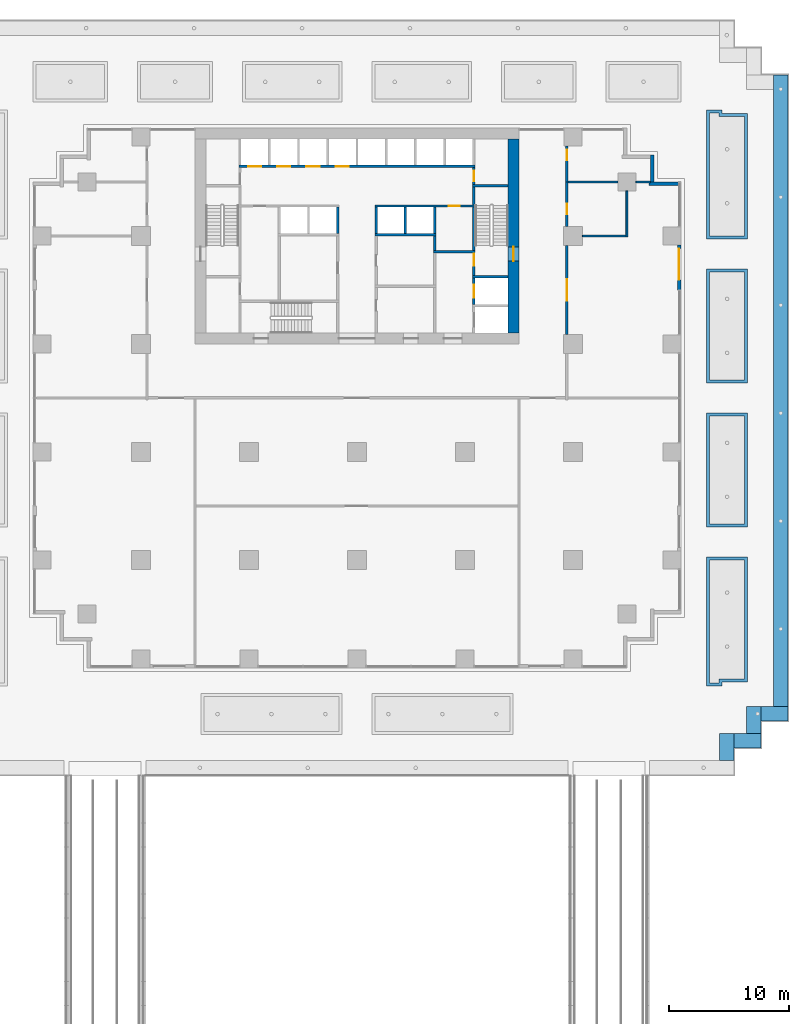
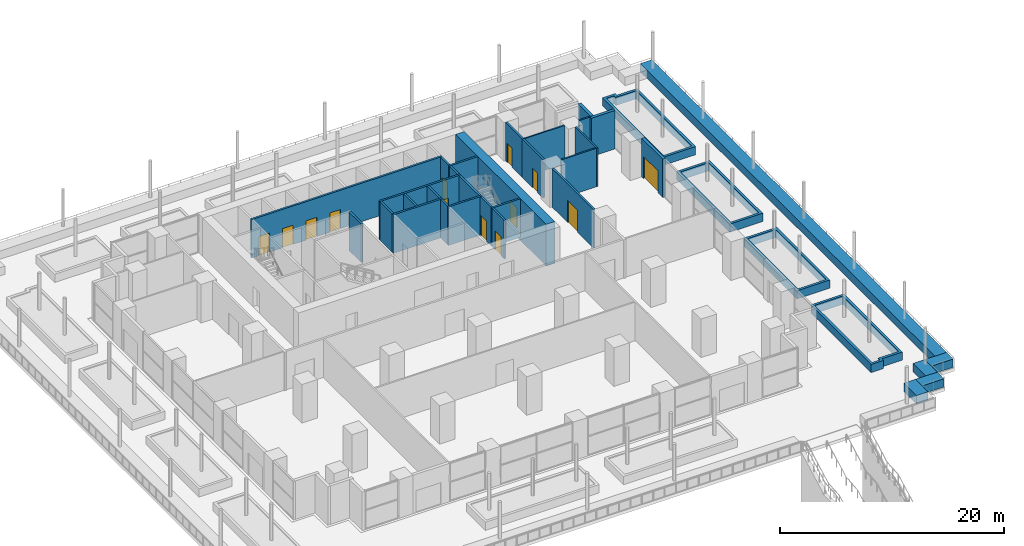
# One storey, part 11 of 18: 36 walls, 13 doors, 13 openings.
"""IFC4 building model written with IfcOpenShell, lengths in metres."""

from ifc_helpers import new_model, si_unit, direction, frame, frame_2d, origin, place, context, subcontext, project, spatial, polyline, rectangle, outline, extrude, material, layer, layer_set, type_object, element, fill, save


model = new_model("IFC4")

# Units and contexts
model_context = context("Model", 3, precision=1e-05, world=origin(), true_north=direction((0.0, 1.0)))
body_context = subcontext(model_context, "Body", "Model", "MODEL_VIEW")
ifc_project = project(units=[si_unit("LENGTHUNIT", "METRE"), si_unit("AREAUNIT", "SQUARE_METRE"), si_unit("VOLUMEUNIT", "CUBIC_METRE"), si_unit("PLANEANGLEUNIT", "RADIAN"), si_unit("MASSUNIT", "GRAM", prefix="KILO")], contexts=[model_context])

# Site, building, storey
site_placement = place(None, origin())
site = spatial("IfcSite", under=ifc_project, at=site_placement, CompositionType="ELEMENT")
building_placement = place(site_placement, origin())
building = spatial("IfcBuilding", under=site, at=building_placement, Name="Orbiselva Terraces", CompositionType="ELEMENT")
storey_placement = place(building_placement, frame((0.0, 0.0, 10.5)))
storey = spatial("IfcBuildingStorey", under=building, at=storey_placement, Name="L02", CompositionType="ELEMENT", Elevation=10.5)

# Wall, opening, door
ifc_material_1 = material(Name="Concrete C80/95", Category="concrete")
ifc_layer_1 = layer(ifc_material_1, 0.9)
ifc_layer_set_1 = layer_set([ifc_layer_1], Name="Concrete C80/95")
wall_type_1 = type_object("IfcWallType", Name="CORE WALL 900", PredefinedType="SHEAR", material=ifc_layer_set_1)
wall_1_placement = place(storey_placement, frame((13.05, 5.4, -0.35), z_axis=(0.0, 0.0, 1.0), x_axis=(0.0, 1.0, 0.0)))
wall_1 = element("IfcWall", 1, at=wall_1_placement, inside=storey, type_object=wall_type_1, Name="Core wall L02 east", PredefinedType="SHEAR", context=body_context, shape_type="SweptSolid", body=[
    extrude(rectangle(XDim=16.2, YDim=0.9, at=frame_2d((8.1, 0.0))), origin(), (0.0, 0.0, 1.0), 4.55),
])
opening_1_placement = place(wall_1_placement, frame((6.0, 0.0, 0.35)))
opening_1 = element("IfcOpeningElement", 2, at=opening_1_placement, cuts=wall_1, Name="Opening DS1200", PredefinedType="OPENING", context=body_context, shape_type="SweptSolid", body=[
    extrude(rectangle(XDim=1.2, YDim=2.2, at=frame_2d((0.6, 1.1))), frame((0.0, 0.46, 0.0), z_axis=(0.0, -1.0, 0.0), x_axis=(1.0, 0.0, 0.0)), (0.0, 0.0, 1.0), 0.92),
])
ifc_material_2 = material(Name="Steel fire door", Category="steel")
door_type_1 = type_object("IfcDoorType", Name="STAIR DOOR 1200", OperationType="NOTDEFINED", PredefinedType="DOOR", material=ifc_material_2)
door_1_placement = place(opening_1_placement, frame((1.2, 0.0, 0.0), z_axis=(0.0, 0.0, 1.0), x_axis=(-1.0, 0.0, 0.0)))
door_1 = element("IfcDoor", 3, at=door_1_placement, inside=storey, type_object=door_type_1, Name="L02 EXIT STAIR S2 door", OperationType="SINGLE_SWING_LEFT", OverallHeight=2.2, OverallWidth=1.2, PredefinedType="DOOR", context=body_context, shape_type="SweptSolid", body=[
    extrude(rectangle(XDim=1.2, YDim=2.2, at=frame_2d((0.6, 1.1))), frame((0.0, 0.025, 0.0), z_axis=(0.0, -1.0, 0.0), x_axis=(1.0, 0.0, 0.0)), (0.0, 0.0, 1.0), 0.05),
])
fill(opening_1, door_1)

# Wall
ifc_material_3 = material(Name="Masonry blockwork", Category="masonry")
ifc_layer_2 = layer(ifc_material_3, 0.2)
ifc_layer_set_2 = layer_set([ifc_layer_2], Name="Masonry blockwork")
wall_type_2 = type_object("IfcWallType", Name="CORE-WALL-PARTITION-200", PredefinedType="PARTITIONING", material=ifc_layer_set_2)
wall_2_placement = place(storey_placement, frame((6.475, 12.3, 0.0), z_axis=(0.0, 0.0, 1.0), x_axis=(0.0, 1.0, 0.0)))
element("IfcWall", 4, at=wall_2_placement, inside=storey, type_object=wall_type_2, Name="L02 core wall 35", PredefinedType="PARTITIONING", context=body_context, shape_type="SweptSolid", body=[
    extrude(rectangle(XDim=1.2, YDim=0.2, at=frame_2d((0.6, 0.0))), origin(), (0.0, 0.0, 1.0), 4.2),
])

# Wall, opening, door
wall_3_placement = place(storey_placement, frame((9.75, 19.2, 0.0), z_axis=(0.0, 0.0, 1.0), x_axis=(0.0, -1.0, 0.0)))
wall_3 = element("IfcWall", 5, at=wall_3_placement, inside=storey, type_object=wall_type_2, Name="L02 core wall 46", PredefinedType="PARTITIONING", context=body_context, shape_type="SweptSolid", body=[
    extrude(rectangle(XDim=1.4, YDim=0.2, at=frame_2d((0.7, 0.0))), origin(), (0.0, 0.0, 1.0), 4.2),
])
opening_2_placement = place(wall_3_placement, frame((0.25, 0.0, 0.0)))
opening_2 = element("IfcOpeningElement", 6, at=opening_2_placement, cuts=wall_3, Name="Opening DR900", PredefinedType="OPENING", context=body_context, shape_type="SweptSolid", body=[
    extrude(rectangle(XDim=0.9, YDim=2.1, at=frame_2d((0.45, 1.05))), frame((0.0, 0.11, 0.0), z_axis=(0.0, -1.0, 0.0), x_axis=(1.0, 0.0, 0.0)), (0.0, 0.0, 1.0), 0.22),
])
door_type_2 = type_object("IfcDoorType", Name="ROOM DOOR 900", OperationType="NOTDEFINED", PredefinedType="DOOR", material=ifc_material_2)
door_2_placement = place(opening_2_placement, origin())
door_2 = element("IfcDoor", 7, at=door_2_placement, inside=storey, type_object=door_type_2, Name="L02 ELECTRICAL RISER ROOM door", OperationType="SINGLE_SWING_RIGHT", OverallHeight=2.1, OverallWidth=0.9, PredefinedType="DOOR", context=body_context, shape_type="SweptSolid", body=[
    extrude(rectangle(XDim=0.9, YDim=2.1, at=frame_2d((0.45, 1.05))), frame((0.0, 0.025, 0.0), z_axis=(0.0, -1.0, 0.0), x_axis=(1.0, 0.0, 0.0)), (0.0, 0.0, 1.0), 0.05),
])
fill(opening_2, door_2)

# Walls
ifc_material_4 = material(Name="Concrete C40/50", Category="concrete")
ifc_layer_3 = layer(ifc_material_4, 0.2)
ifc_layer_set_3 = layer_set([ifc_layer_3], Name="Concrete C40/50")
wall_type_3 = type_object("IfcWallType", Name="CORE-WALL-SHAFT-200", PredefinedType="PARTITIONING", material=ifc_layer_set_3)
for number, where, z_axis, x_axis, name in (
    (8, (-1.6, 13.7, 0.0), (0.0, 0.0, 1.0), (0.0, 1.0, 0.0), "L02 core wall 21"),
    (9, (1.6, 13.7, 0.0), (0.0, 0.0, 1.0), (0.0, 1.0, 0.0), "L02 core wall 27"),
    (10, (4.0375, 13.7, 0.0), (0.0, 0.0, 1.0), (0.0, 1.0, 0.0), "L02 core wall 30"),
    (11, (6.475, 13.7, 0.0), (0.0, 0.0, 1.0), (0.0, 1.0, 0.0), "L02 core wall 36"),
):
    element("IfcWall", number, at=place(storey_placement, frame(where, z_axis=z_axis, x_axis=x_axis)), inside=storey, type_object=wall_type_3, Name=name, PredefinedType="PARTITIONING", context=body_context, shape_type="SweptSolid", body=[
        extrude(rectangle(XDim=2.2, YDim=0.2, at=frame_2d((1.1, 0.0))), origin(), (0.0, 0.0, 1.0), 4.2),
    ])

# Wall, openings, doors
ifc_material_5 = material(Name="Concrete C60/75", Category="concrete")
ifc_layer_4 = layer(ifc_material_5, 0.2)
ifc_layer_set_4 = layer_set([ifc_layer_4], Name="Concrete C60/75")
wall_type_4 = type_object("IfcWallType", Name="CORE-WALL-SHEAR-200", PredefinedType="SHEAR", material=ifc_layer_set_4)
wall_4_placement = place(storey_placement, frame((-9.85, 19.3, 0.0), z_axis=(0.0, 0.0, 1.0), x_axis=(1.0, 0.0, 0.0)))
wall_4 = element("IfcWall", 12, at=wall_4_placement, inside=storey, type_object=wall_type_4, Name="L02 core wall 10", PredefinedType="SHEAR", context=body_context, shape_type="SweptSolid", body=[
    extrude(rectangle(XDim=19.7, YDim=0.2, at=frame_2d((9.85, 0.0))), origin(), (0.0, 0.0, 1.0), 4.2),
])
opening_3_placement = place(wall_4_placement, frame((0.76875, 0.0, 0.0)))
opening_3 = element("IfcOpeningElement", 13, at=opening_3_placement, cuts=wall_4, Name="Opening LD-LR1", PredefinedType="OPENING", context=body_context, shape_type="SweptSolid", body=[
    extrude(rectangle(XDim=1.1, YDim=2.1, at=frame_2d((0.55, 1.05))), frame((0.0, 0.11, 0.0), z_axis=(0.0, -1.0, 0.0), x_axis=(1.0, 0.0, 0.0)), (0.0, 0.0, 1.0), 0.22),
])
opening_4_placement = place(wall_4_placement, frame((3.20625, 0.0, 0.0)))
opening_4 = element("IfcOpeningElement", 14, at=opening_4_placement, cuts=wall_4, Name="Opening LD-LR2", PredefinedType="OPENING", context=body_context, shape_type="SweptSolid", body=[
    extrude(rectangle(XDim=1.1, YDim=2.1, at=frame_2d((0.55, 1.05))), frame((0.0, 0.11, 0.0), z_axis=(0.0, -1.0, 0.0), x_axis=(1.0, 0.0, 0.0)), (0.0, 0.0, 1.0), 0.22),
])
opening_5_placement = place(wall_4_placement, frame((5.64375, 0.0, 0.0)))
opening_5 = element("IfcOpeningElement", 15, at=opening_5_placement, cuts=wall_4, Name="Opening LD-LR3", PredefinedType="OPENING", context=body_context, shape_type="SweptSolid", body=[
    extrude(rectangle(XDim=1.1, YDim=2.1, at=frame_2d((0.55, 1.05))), frame((0.0, 0.11, 0.0), z_axis=(0.0, -1.0, 0.0), x_axis=(1.0, 0.0, 0.0)), (0.0, 0.0, 1.0), 0.22),
])
opening_6_placement = place(wall_4_placement, frame((8.08125, 0.0, 0.0)))
opening_6 = element("IfcOpeningElement", 16, at=opening_6_placement, cuts=wall_4, Name="Opening LD-LR4", PredefinedType="OPENING", context=body_context, shape_type="SweptSolid", body=[
    extrude(rectangle(XDim=1.1, YDim=2.1, at=frame_2d((0.55, 1.05))), frame((0.0, 0.11, 0.0), z_axis=(0.0, -1.0, 0.0), x_axis=(1.0, 0.0, 0.0)), (0.0, 0.0, 1.0), 0.22),
])
ifc_material_6 = material(Name="Stainless steel landing door", Category="steel")
door_type_3 = type_object("IfcDoorType", Name="LANDING DOOR 1100", OperationType="SLIDING_TO_LEFT", PredefinedType="DOOR", material=ifc_material_6)
door_3_placement = place(opening_3_placement, origin())
door_3 = element("IfcDoor", 17, at=door_3_placement, inside=storey, type_object=door_type_3, Name="L02 landing door LR1", OperationType="SLIDING_TO_LEFT", OverallHeight=2.1, OverallWidth=1.1, PredefinedType="DOOR", context=body_context, shape_type="SweptSolid", body=[
    extrude(rectangle(XDim=1.1, YDim=2.1, at=frame_2d((0.55, 1.05))), frame((0.0, 0.025, 0.0), z_axis=(0.0, -1.0, 0.0), x_axis=(1.0, 0.0, 0.0)), (0.0, 0.0, 1.0), 0.05),
])
fill(opening_3, door_3)
door_4_placement = place(opening_4_placement, origin())
door_4 = element("IfcDoor", 18, at=door_4_placement, inside=storey, type_object=door_type_3, Name="L02 landing door LR2", OperationType="SLIDING_TO_LEFT", OverallHeight=2.1, OverallWidth=1.1, PredefinedType="DOOR", context=body_context, shape_type="SweptSolid", body=[
    extrude(rectangle(XDim=1.1, YDim=2.1, at=frame_2d((0.55, 1.05))), frame((0.0, 0.025, 0.0), z_axis=(0.0, -1.0, 0.0), x_axis=(1.0, 0.0, 0.0)), (0.0, 0.0, 1.0), 0.05),
])
fill(opening_4, door_4)
door_5_placement = place(opening_5_placement, origin())
door_5 = element("IfcDoor", 19, at=door_5_placement, inside=storey, type_object=door_type_3, Name="L02 landing door LR3", OperationType="SLIDING_TO_LEFT", OverallHeight=2.1, OverallWidth=1.1, PredefinedType="DOOR", context=body_context, shape_type="SweptSolid", body=[
    extrude(rectangle(XDim=1.1, YDim=2.1, at=frame_2d((0.55, 1.05))), frame((0.0, 0.025, 0.0), z_axis=(0.0, -1.0, 0.0), x_axis=(1.0, 0.0, 0.0)), (0.0, 0.0, 1.0), 0.05),
])
fill(opening_5, door_5)
door_6_placement = place(opening_6_placement, origin())
door_6 = element("IfcDoor", 20, at=door_6_placement, inside=storey, type_object=door_type_3, Name="L02 landing door LR4", OperationType="SLIDING_TO_LEFT", OverallHeight=2.1, OverallWidth=1.1, PredefinedType="DOOR", context=body_context, shape_type="SweptSolid", body=[
    extrude(rectangle(XDim=1.1, YDim=2.1, at=frame_2d((0.55, 1.05))), frame((0.0, 0.025, 0.0), z_axis=(0.0, -1.0, 0.0), x_axis=(1.0, 0.0, 0.0)), (0.0, 0.0, 1.0), 0.05),
])
fill(opening_6, door_6)

# Wall
wall_5_placement = place(storey_placement, frame((1.5, 13.6, 0.0), z_axis=(0.0, 0.0, 1.0), x_axis=(1.0, 0.0, 0.0)))
element("IfcWall", 21, at=wall_5_placement, inside=storey, type_object=wall_type_4, Name="L02 core wall 26", PredefinedType="SHEAR", context=body_context, shape_type="SweptSolid", body=[
    extrude(rectangle(XDim=5.075, YDim=0.2, at=frame_2d((2.5375, 0.0))), origin(), (0.0, 0.0, 1.0), 4.2),
])

# Wall, opening, door
wall_6_placement = place(storey_placement, frame((9.85, 16.0, 0.0), z_axis=(0.0, 0.0, 1.0), x_axis=(-1.0, 0.0, 0.0)))
wall_6 = element("IfcWall", 22, at=wall_6_placement, inside=storey, type_object=wall_type_4, Name="L02 core wall 28", PredefinedType="SHEAR", context=body_context, shape_type="SweptSolid", body=[
    extrude(rectangle(XDim=8.35, YDim=0.2, at=frame_2d((4.175, 0.0))), origin(), (0.0, 0.0, 1.0), 4.2),
])
opening_7_placement = place(wall_6_placement, frame((1.2875, 0.0, 0.0)))
opening_7 = element("IfcOpeningElement", 23, at=opening_7_placement, cuts=wall_6, Name="Opening DR900", PredefinedType="OPENING", context=body_context, shape_type="SweptSolid", body=[
    extrude(rectangle(XDim=0.9, YDim=2.1, at=frame_2d((0.45, 1.05))), frame((0.0, 0.11, 0.0), z_axis=(0.0, -1.0, 0.0), x_axis=(1.0, 0.0, 0.0)), (0.0, 0.0, 1.0), 0.22),
])
door_7_placement = place(opening_7_placement, origin())
door_7 = element("IfcDoor", 24, at=door_7_placement, inside=storey, type_object=door_type_2, Name="L02 PIPE RISER ROOM door", OperationType="SINGLE_SWING_LEFT", OverallHeight=2.1, OverallWidth=0.9, PredefinedType="DOOR", context=body_context, shape_type="SweptSolid", body=[
    extrude(rectangle(XDim=0.9, YDim=2.1, at=frame_2d((0.45, 1.05))), frame((0.0, 0.025, 0.0), z_axis=(0.0, -1.0, 0.0), x_axis=(1.0, 0.0, 0.0)), (0.0, 0.0, 1.0), 0.05),
])
fill(opening_7, door_7)

# Wall
wall_7_placement = place(storey_placement, frame((6.375, 12.2, 0.0), z_axis=(0.0, 0.0, 1.0), x_axis=(1.0, 0.0, 0.0)))
element("IfcWall", 25, at=wall_7_placement, inside=storey, type_object=wall_type_4, Name="L02 core wall 34", PredefinedType="SHEAR", context=body_context, shape_type="SweptSolid", body=[
    extrude(rectangle(XDim=3.475, YDim=0.2, at=frame_2d((1.7375, 0.0))), origin(), (0.0, 0.0, 1.0), 4.2),
])

# Wall, opening, door
wall_8_placement = place(storey_placement, frame((9.75, 7.8, 0.0), z_axis=(0.0, 0.0, 1.0), x_axis=(0.0, 1.0, 0.0)))
wall_8 = element("IfcWall", 26, at=wall_8_placement, inside=storey, type_object=wall_type_4, Name="L02 core wall 40", PredefinedType="SHEAR", context=body_context, shape_type="SweptSolid", body=[
    extrude(rectangle(XDim=2.2, YDim=0.2, at=frame_2d((1.1, 0.0))), origin(), (0.0, 0.0, 1.0), 4.2),
])
opening_8_placement = place(wall_8_placement, frame((0.55, 0.0, 0.0)))
opening_8 = element("IfcOpeningElement", 27, at=opening_8_placement, cuts=wall_8, Name="Opening LD-FF2", PredefinedType="OPENING", context=body_context, shape_type="SweptSolid", body=[
    extrude(rectangle(XDim=1.1, YDim=2.1, at=frame_2d((0.55, 1.05))), frame((0.0, 0.11, 0.0), z_axis=(0.0, -1.0, 0.0), x_axis=(1.0, 0.0, 0.0)), (0.0, 0.0, 1.0), 0.22),
])
door_8_placement = place(opening_8_placement, origin())
door_8 = element("IfcDoor", 28, at=door_8_placement, inside=storey, type_object=door_type_3, Name="L02 landing door FF2", OperationType="SLIDING_TO_RIGHT", OverallHeight=2.1, OverallWidth=1.1, PredefinedType="DOOR", context=body_context, shape_type="SweptSolid", body=[
    extrude(rectangle(XDim=1.1, YDim=2.1, at=frame_2d((0.55, 1.05))), frame((0.0, 0.025, 0.0), z_axis=(0.0, -1.0, 0.0), x_axis=(1.0, 0.0, 0.0)), (0.0, 0.0, 1.0), 0.05),
])
fill(opening_8, door_8)

# Wall
wall_9_placement = place(storey_placement, frame((9.65, 10.1, 0.0), z_axis=(0.0, 0.0, 1.0), x_axis=(1.0, 0.0, 0.0)))
element("IfcWall", 29, at=wall_9_placement, inside=storey, type_object=wall_type_4, Name="L02 core wall 41", PredefinedType="SHEAR", context=body_context, shape_type="SweptSolid", body=[
    extrude(rectangle(XDim=2.95, YDim=0.2, at=frame_2d((1.475, 0.0))), origin(), (0.0, 0.0, 1.0), 4.2),
])

# Wall, opening, door
wall_10_placement = place(storey_placement, frame((9.75, 12.1, 0.0), z_axis=(0.0, 0.0, 1.0), x_axis=(0.0, -1.0, 0.0)))
wall_10 = element("IfcWall", 30, at=wall_10_placement, inside=storey, type_object=wall_type_4, Name="L02 core wall 42", PredefinedType="SHEAR", context=body_context, shape_type="SweptSolid", body=[
    extrude(rectangle(XDim=1.9, YDim=0.2, at=frame_2d((0.95, 0.0))), origin(), (0.0, 0.0, 1.0), 4.2),
])
opening_9_placement = place(wall_10_placement, frame((0.1, 0.0, 0.0)))
opening_9 = element("IfcOpeningElement", 31, at=opening_9_placement, cuts=wall_10, Name="Opening DS1000", PredefinedType="OPENING", context=body_context, shape_type="SweptSolid", body=[
    extrude(rectangle(XDim=1.0, YDim=2.2, at=frame_2d((0.5, 1.1))), frame((0.0, 0.11, 0.0), z_axis=(0.0, -1.0, 0.0), x_axis=(1.0, 0.0, 0.0)), (0.0, 0.0, 1.0), 0.22),
])
door_type_4 = type_object("IfcDoorType", Name="STAIR DOOR 1000", OperationType="NOTDEFINED", PredefinedType="DOOR", material=ifc_material_2)
door_9_placement = place(opening_9_placement, origin())
door_9 = element("IfcDoor", 32, at=door_9_placement, inside=storey, type_object=door_type_4, Name="L02 FIRE-FIGHTING LOBBY TO EXIT STAIR S2 door", OperationType="SINGLE_SWING_LEFT", OverallHeight=2.2, OverallWidth=1.0, PredefinedType="DOOR", context=body_context, shape_type="SweptSolid", body=[
    extrude(rectangle(XDim=1.0, YDim=2.2, at=frame_2d((0.5, 1.1))), frame((0.0, 0.025, 0.0), z_axis=(0.0, -1.0, 0.0), x_axis=(1.0, 0.0, 0.0)), (0.0, 0.0, 1.0), 0.05),
])
fill(opening_9, door_9)

# Walls
wall_11_placement = place(storey_placement, frame((9.75, 12.3, 0.0), z_axis=(0.0, 0.0, 1.0), x_axis=(0.0, 1.0, 0.0)))
element("IfcWall", 33, at=wall_11_placement, inside=storey, type_object=wall_type_4, Name="L02 core wall 43", PredefinedType="SHEAR", context=body_context, shape_type="SweptSolid", body=[
    extrude(rectangle(XDim=3.6, YDim=0.2, at=frame_2d((1.8, 0.0))), origin(), (0.0, 0.0, 1.0), 4.2),
])
wall_12_placement = place(storey_placement, frame((9.75, 16.1, 0.0), z_axis=(0.0, 0.0, 1.0), x_axis=(0.0, 1.0, 0.0)))
element("IfcWall", 34, at=wall_12_placement, inside=storey, type_object=wall_type_4, Name="L02 core wall 44", PredefinedType="SHEAR", context=body_context, shape_type="SweptSolid", body=[
    extrude(rectangle(XDim=1.5, YDim=0.2, at=frame_2d((0.75, 0.0))), origin(), (0.0, 0.0, 1.0), 4.2),
])
wall_13_placement = place(storey_placement, frame((9.65, 17.7, 0.0), z_axis=(0.0, 0.0, 1.0), x_axis=(1.0, 0.0, 0.0)))
element("IfcWall", 35, at=wall_13_placement, inside=storey, type_object=wall_type_4, Name="L02 core wall 45", PredefinedType="SHEAR", context=body_context, shape_type="SweptSolid", body=[
    extrude(rectangle(XDim=2.95, YDim=0.2, at=frame_2d((1.475, 0.0))), origin(), (0.0, 0.0, 1.0), 4.2),
])
ifc_layer_5 = layer(ifc_material_4, 1.2)
ifc_layer_set_5 = layer_set([ifc_layer_5], Name="Concrete C40/50")
wall_type_5 = type_object("IfcWallType", Name="ENV-GARDEN-BED-1200x900", PredefinedType="USERDEFINED", material=ifc_layer_set_5)
for number, where, z_axis, x_axis, name in (
    (36, (30.83, -30.23, 0.05), (0.0, 0.0, 1.0), (0.0, 1.0, 0.0), "Planter bed L02 deck"),
    (37, (31.43, -28.58, 0.05), (0.0, 0.0, 1.0), (1.0, 0.0, 0.0), "Planter bed L02 deck"),
    (38, (33.08, -27.98, 0.05), (0.0, 0.0, 1.0), (0.0, 1.0, 0.0), "Planter bed L02 deck"),
    (39, (33.68, -26.33, 0.05), (0.0, 0.0, 1.0), (1.0, 0.0, 0.0), "Planter bed L02 deck"),
):
    element("IfcWall", number, at=place(storey_placement, frame(where, z_axis=z_axis, x_axis=x_axis)), inside=storey, type_object=wall_type_5, Name=name, ObjectType="PLANTER", PredefinedType="USERDEFINED", context=body_context, shape_type="SweptSolid", body=[
        extrude(rectangle(XDim=2.25, YDim=1.2, at=frame_2d((1.125, 0.0))), origin(), (0.0, 0.0, 1.0), 0.9),
    ])
wall_14_placement = place(storey_placement, frame((35.33, -25.73, 0.05), z_axis=(0.0, 0.0, 1.0), x_axis=(0.0, 1.0, 0.0)))
element("IfcWall", 40, at=wall_14_placement, inside=storey, type_object=wall_type_5, Name="Planter bed L02 deck", ObjectType="PLANTER", PredefinedType="USERDEFINED", context=body_context, shape_type="SweptSolid", body=[
    extrude(rectangle(XDim=52.66, YDim=1.2, at=frame_2d((26.33, 0.0))), origin(), (0.0, 0.0, 1.0), 0.9),
])
ifc_layer_6 = layer(ifc_material_4, 0.25)
ifc_layer_set_6 = layer_set([ifc_layer_6], Name="Concrete C40/50")
wall_type_6 = type_object("IfcWallType", Name="ENV-GARDEN-BED-250x900", PredefinedType="USERDEFINED", material=ifc_layer_set_6)
wall_15_placement = place(storey_placement, frame((0.0, 0.0, 0.05)))
element("IfcWall", 41, at=wall_15_placement, inside=storey, type_object=wall_type_6, Name="Planter L02 Planting bed 4", ObjectType="PLANTER", PredefinedType="USERDEFINED", context=body_context, shape_type="SweptSolid", body=[
    extrude(outline(polyline([(29.15, -24.0), (30.45, -24.0), (30.45, -23.7), (32.55, -23.7), (32.55, -13.25), (29.15, -13.25), (29.15, -24.0)]), holes=[polyline([(29.4, -13.5), (32.3, -13.5), (32.3, -23.45), (30.2, -23.45), (30.2, -23.75), (29.4, -23.75), (29.4, -13.5)])]), origin(), (0.0, 0.0, 1.0), 0.9),
])
wall_16_placement = place(storey_placement, frame((0.0, 0.0, 0.05)))
element("IfcWall", 42, at=wall_16_placement, inside=storey, type_object=wall_type_6, Name="Planter L02 Planting bed 6", ObjectType="PLANTER", PredefinedType="USERDEFINED", context=body_context, shape_type="SweptSolid", body=[
    extrude(outline(polyline([(29.15, -10.75), (32.55, -10.75), (32.55, -1.25), (29.15, -1.25), (29.15, -10.75)]), holes=[polyline([(29.4, -1.5), (32.3, -1.5), (32.3, -10.5), (29.4, -10.5), (29.4, -1.5)])]), origin(), (0.0, 0.0, 1.0), 0.9),
])
wall_17_placement = place(storey_placement, frame((0.0, 0.0, 0.05)))
element("IfcWall", 43, at=wall_17_placement, inside=storey, type_object=wall_type_6, Name="Planter L02 Planting bed 8", ObjectType="PLANTER", PredefinedType="USERDEFINED", context=body_context, shape_type="SweptSolid", body=[
    extrude(outline(polyline([(29.15, 1.25), (32.55, 1.25), (32.55, 10.75), (29.15, 10.75), (29.15, 1.25)]), holes=[polyline([(29.4, 10.5), (32.3, 10.5), (32.3, 1.5), (29.4, 1.5), (29.4, 10.5)])]), origin(), (0.0, 0.0, 1.0), 0.9),
])
wall_18_placement = place(storey_placement, frame((0.0, 0.0, 0.05)))
element("IfcWall", 44, at=wall_18_placement, inside=storey, type_object=wall_type_6, Name="Planter L02 Planting bed 10", ObjectType="PLANTER", PredefinedType="USERDEFINED", context=body_context, shape_type="SweptSolid", body=[
    extrude(outline(polyline([(32.55, 13.25), (32.55, 23.7), (30.45, 23.7), (30.45, 24.0), (29.15, 24.0), (29.15, 13.25), (32.55, 13.25)]), holes=[polyline([(29.4, 13.5), (29.4, 23.75), (30.2, 23.75), (30.2, 23.45), (32.3, 23.45), (32.3, 13.5), (29.4, 13.5)])]), origin(), (0.0, 0.0, 1.0), 0.9),
])

# Wall, opening, door
ifc_material_7 = material(Name="Terracotta cladding on masonry backing", Category="masonry")
ifc_layer_7 = layer(ifc_material_7, 0.3)
ifc_layer_set_7 = layer_set([ifc_layer_7], Name="Terracotta cladding on masonry backing")
wall_type_7 = type_object("IfcWallType", Name="ENV-WALL-TERRACOTTA-300", PredefinedType="SOLIDWALL", material=ifc_layer_set_7)
wall_19_placement = place(storey_placement, frame((26.85, 12.75, 0.0), z_axis=(0.0, 0.0, 1.0), x_axis=(0.0, -1.0, 0.0)))
wall_19 = element("IfcWall", 45, at=wall_19_placement, inside=storey, type_object=wall_type_7, Name="Facade wall L02 E", PredefinedType="SOLIDWALL", context=body_context, shape_type="SweptSolid", body=[
    extrude(rectangle(XDim=3.75, YDim=0.3, at=frame_2d((1.875, 0.0))), origin(), (0.0, 0.0, 1.0), 4.2),
])
opening_10_placement = place(wall_19_placement, frame((0.3, 0.0, 0.0)))
opening_10 = element("IfcOpeningElement", 46, at=opening_10_placement, cuts=wall_19, Name="Opening GARDEN-E04", PredefinedType="OPENING", context=body_context, shape_type="SweptSolid", body=[
    extrude(rectangle(XDim=2.6, YDim=2.4, at=frame_2d((1.3, 1.2))), frame((0.0, 0.16, 0.0), z_axis=(0.0, -1.0, 0.0), x_axis=(1.0, 0.0, 0.0)), (0.0, 0.0, 1.0), 0.32),
])
ifc_material_8 = material(Name="Clear low-e glazing in aluminium frame", Category="aluminium")
door_type_5 = type_object("IfcDoorType", Name="TERRACE DOOR 2600 X 2400", OperationType="DOUBLE_DOOR_SINGLE_SWING", PredefinedType="DOOR", material=ifc_material_8)
door_10_placement = place(opening_10_placement, origin())
door_10 = element("IfcDoor", 47, at=door_10_placement, inside=storey, type_object=door_type_5, Name="GARDEN-E04", OperationType="SINGLE_SWING_LEFT", OverallHeight=2.4, OverallWidth=2.6, PredefinedType="DOOR", context=body_context, shape_type="SweptSolid", body=[
    extrude(rectangle(XDim=2.6, YDim=2.4, at=frame_2d((1.3, 1.2))), frame((0.0, 0.025, 0.0), z_axis=(0.0, -1.0, 0.0), x_axis=(1.0, 0.0, 0.0)), (0.0, 0.0, 1.0), 0.05),
])
fill(opening_10, door_10)

# Walls
wall_20_placement = place(storey_placement, frame((24.35, 17.85, 0.0), z_axis=(0.0, 0.0, 1.0), x_axis=(1.0, 0.0, 0.0)))
element("IfcWall", 48, at=wall_20_placement, inside=storey, type_object=wall_type_7, Name="Facade wall L02 STEP", PredefinedType="SOLIDWALL", context=body_context, shape_type="SweptSolid", body=[
    extrude(rectangle(XDim=2.45, YDim=0.3, at=frame_2d((1.225, 0.0))), origin(), (0.0, 0.0, 1.0), 4.2),
])
wall_21_placement = place(storey_placement, frame((24.6, 20.25, 0.0), z_axis=(0.0, 0.0, 1.0), x_axis=(0.0, -1.0, 0.0)))
element("IfcWall", 49, at=wall_21_placement, inside=storey, type_object=wall_type_7, Name="Facade wall L02 STEP", PredefinedType="SOLIDWALL", context=body_context, shape_type="SweptSolid", body=[
    extrude(rectangle(XDim=2.25, YDim=0.3, at=frame_2d((1.125, 0.0))), origin(), (0.0, 0.0, 1.0), 4.2),
])

# Wall, opening, door
ifc_material_9 = material(Name="Plasterboard on steel stud partition", Category="steel")
ifc_layer_8 = layer(ifc_material_9, 0.2)
ifc_layer_set_8 = layer_set([ifc_layer_8], Name="Plasterboard on steel stud partition")
wall_type_8 = type_object("IfcWallType", Name="UNIT-ENTRANCE-WALL-200", PredefinedType="PARTITIONING", material=ifc_layer_set_8)
wall_22_placement = place(storey_placement, frame((17.5, 5.3, 0.0), z_axis=(0.0, 0.0, 1.0), x_axis=(0.0, 1.0, 0.0)))
wall_22 = element("IfcWall", 50, at=wall_22_placement, inside=storey, type_object=wall_type_8, Name="PARTITION L02-017", PredefinedType="PARTITIONING", context=body_context, shape_type="SweptSolid", body=[
    extrude(rectangle(XDim=7.4, YDim=0.2, at=frame_2d((3.7, 0.0))), origin(), (0.0, 0.0, 1.0), 4.2),
])
opening_11_placement = place(wall_22_placement, frame((2.8, 0.0, 0.0)))
opening_11 = element("IfcOpeningElement", 51, at=opening_11_placement, cuts=wall_22, Name="Opening GARDEN-05", PredefinedType="OPENING", context=body_context, shape_type="SweptSolid", body=[
    extrude(rectangle(XDim=1.8, YDim=2.4, at=frame_2d((0.9, 1.2))), frame((0.0, 0.11, 0.0), z_axis=(0.0, -1.0, 0.0), x_axis=(1.0, 0.0, 0.0)), (0.0, 0.0, 1.0), 0.22),
])
ifc_material_10 = material(Name="Painted timber door leaf", Category="wood")
door_type_6 = type_object("IfcDoorType", Name="DOUBLE DOOR 1800", OperationType="NOTDEFINED", PredefinedType="DOOR", material=ifc_material_10)
door_11_placement = place(opening_11_placement, origin())
door_11 = element("IfcDoor", 52, at=door_11_placement, inside=storey, type_object=door_type_6, Name="GARDEN-05", OperationType="DOUBLE_DOOR_SINGLE_SWING", OverallHeight=2.4, OverallWidth=1.8, PredefinedType="DOOR", context=body_context, shape_type="SweptSolid", body=[
    extrude(rectangle(XDim=1.8, YDim=2.4, at=frame_2d((0.9, 1.2))), frame((0.0, 0.025, 0.0), z_axis=(0.0, -1.0, 0.0), x_axis=(1.0, 0.0, 0.0)), (0.0, 0.0, 1.0), 0.05),
])
fill(opening_11, door_11)

wall_23_placement = place(storey_placement, frame((17.5, 18.0, 0.0), z_axis=(0.0, 0.0, 1.0), x_axis=(0.0, -1.0, 0.0)))
wall_23 = element("IfcWall", 53, at=wall_23_placement, inside=storey, type_object=wall_type_8, Name="PARTITION L02-018", PredefinedType="PARTITIONING", context=body_context, shape_type="SweptSolid", body=[
    extrude(rectangle(XDim=3.7, YDim=0.2, at=frame_2d((1.85, 0.0))), origin(), (0.0, 0.0, 1.0), 4.2),
])
opening_12_placement = place(wall_23_placement, frame((1.8, 0.0, 0.0)))
opening_12 = element("IfcOpeningElement", 54, at=opening_12_placement, cuts=wall_23, Name="Opening GARDEN-09", PredefinedType="OPENING", context=body_context, shape_type="SweptSolid", body=[
    extrude(rectangle(XDim=0.9, YDim=2.1, at=frame_2d((0.45, 1.05))), frame((0.0, 0.11, 0.0), z_axis=(0.0, -1.0, 0.0), x_axis=(1.0, 0.0, 0.0)), (0.0, 0.0, 1.0), 0.22),
])
door_type_7 = type_object("IfcDoorType", Name="BATH DOOR 900", OperationType="NOTDEFINED", PredefinedType="DOOR", material=ifc_material_10)
door_12_placement = place(opening_12_placement, origin())
door_12 = element("IfcDoor", 55, at=door_12_placement, inside=storey, type_object=door_type_7, Name="GARDEN-09", OperationType="SINGLE_SWING_RIGHT", OverallHeight=2.1, OverallWidth=0.9, PredefinedType="DOOR", context=body_context, shape_type="SweptSolid", body=[
    extrude(rectangle(XDim=0.9, YDim=2.1, at=frame_2d((0.45, 1.05))), frame((0.0, 0.025, 0.0), z_axis=(0.0, -1.0, 0.0), x_axis=(1.0, 0.0, 0.0)), (0.0, 0.0, 1.0), 0.05),
])
fill(opening_12, door_12)

wall_24_placement = place(storey_placement, frame((17.5, 18.0, 0.0), z_axis=(0.0, 0.0, 1.0), x_axis=(0.0, 1.0, 0.0)))
wall_24 = element("IfcWall", 56, at=wall_24_placement, inside=storey, type_object=wall_type_8, Name="PARTITION L02-019", PredefinedType="PARTITIONING", context=body_context, shape_type="SweptSolid", body=[
    extrude(rectangle(XDim=3.0, YDim=0.2, at=frame_2d((1.5, 0.0))), origin(), (0.0, 0.0, 1.0), 4.2),
])
opening_13_placement = place(wall_24_placement, frame((1.8, 0.0, 0.0)))
opening_13 = element("IfcOpeningElement", 57, at=opening_13_placement, cuts=wall_24, Name="Opening GARDEN-06", PredefinedType="OPENING", context=body_context, shape_type="SweptSolid", body=[
    extrude(rectangle(XDim=0.9, YDim=2.1, at=frame_2d((0.45, 1.05))), frame((0.0, 0.11, 0.0), z_axis=(0.0, -1.0, 0.0), x_axis=(1.0, 0.0, 0.0)), (0.0, 0.0, 1.0), 0.22),
])
door_type_8 = type_object("IfcDoorType", Name="SERVICE DOOR 900", OperationType="NOTDEFINED", PredefinedType="DOOR", material=ifc_material_10)
door_13_placement = place(opening_13_placement, origin())
door_13 = element("IfcDoor", 58, at=door_13_placement, inside=storey, type_object=door_type_8, Name="GARDEN-06", OperationType="SINGLE_SWING_RIGHT", OverallHeight=2.1, OverallWidth=0.9, PredefinedType="DOOR", context=body_context, shape_type="SweptSolid", body=[
    extrude(rectangle(XDim=0.9, YDim=2.1, at=frame_2d((0.45, 1.05))), frame((0.0, 0.025, 0.0), z_axis=(0.0, -1.0, 0.0), x_axis=(1.0, 0.0, 0.0)), (0.0, 0.0, 1.0), 0.05),
])
fill(opening_13, door_13)

# Walls
ifc_layer_9 = layer(ifc_material_9, 0.15)
ifc_layer_set_9 = layer_set([ifc_layer_9], Name="Plasterboard on steel stud partition")
wall_type_9 = type_object("IfcWallType", Name="UNIT-PARTITION-150", PredefinedType="PARTITIONING", material=ifc_layer_set_9)
wall_25_placement = place(storey_placement, frame((18.8, 13.5, 0.0), z_axis=(0.0, 0.0, 1.0), x_axis=(1.0, 0.0, 0.0)))
element("IfcWall", 59, at=wall_25_placement, inside=storey, type_object=wall_type_9, Name="PARTITION L02-006", PredefinedType="PARTITIONING", context=body_context, shape_type="SweptSolid", body=[
    extrude(rectangle(XDim=3.625, YDim=0.15, at=frame_2d((1.8125, 0.0))), origin(), (0.0, 0.0, 1.0), 4.2),
])
wall_26_placement = place(storey_placement, frame((17.6, 18.0, 0.0), z_axis=(0.0, 0.0, 1.0), x_axis=(1.0, 0.0, 0.0)))
element("IfcWall", 60, at=wall_26_placement, inside=storey, type_object=wall_type_9, Name="PARTITION L02-009", PredefinedType="PARTITIONING", context=body_context, shape_type="SweptSolid", body=[
    extrude(rectangle(XDim=4.15, YDim=0.15, at=frame_2d((2.075, 0.0))), origin(), (0.0, 0.0, 1.0), 4.2),
])
wall_27_placement = place(storey_placement, frame((23.25, 18.0, 0.0), z_axis=(0.0, 0.0, 1.0), x_axis=(1.0, 0.0, 0.0)))
element("IfcWall", 61, at=wall_27_placement, inside=storey, type_object=wall_type_9, Name="PARTITION L02-010", PredefinedType="PARTITIONING", context=body_context, shape_type="SweptSolid", body=[
    extrude(rectangle(XDim=1.2, YDim=0.15, at=frame_2d((0.6, 0.0))), origin(), (0.0, 0.0, 1.0), 4.2),
])
wall_28_placement = place(storey_placement, frame((22.5, 13.425, 0.0), z_axis=(0.0, 0.0, 1.0), x_axis=(0.0, 1.0, 0.0)))
element("IfcWall", 62, at=wall_28_placement, inside=storey, type_object=wall_type_9, Name="PARTITION L02-020", PredefinedType="PARTITIONING", context=body_context, shape_type="SweptSolid", body=[
    extrude(rectangle(XDim=3.825, YDim=0.15, at=frame_2d((1.9125, 0.0))), origin(), (0.0, 0.0, 1.0), 4.2),
])

save(model, "model.ifc")
